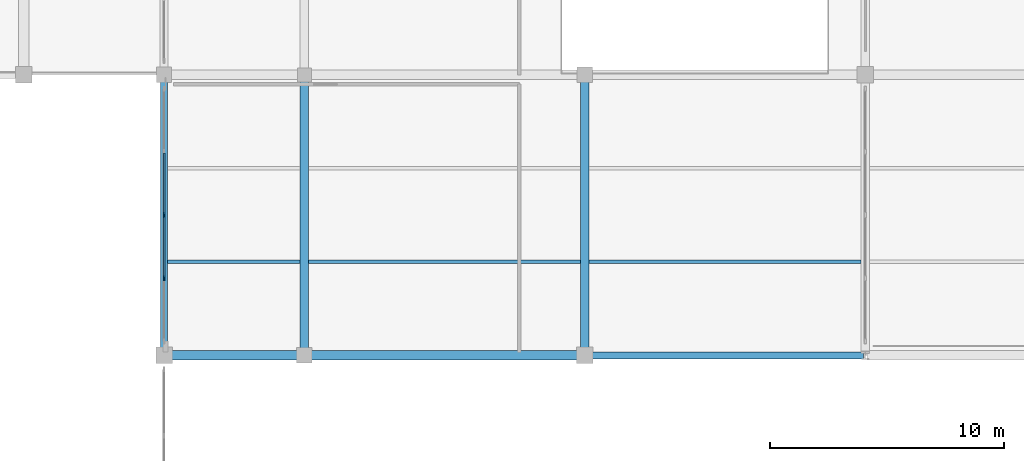
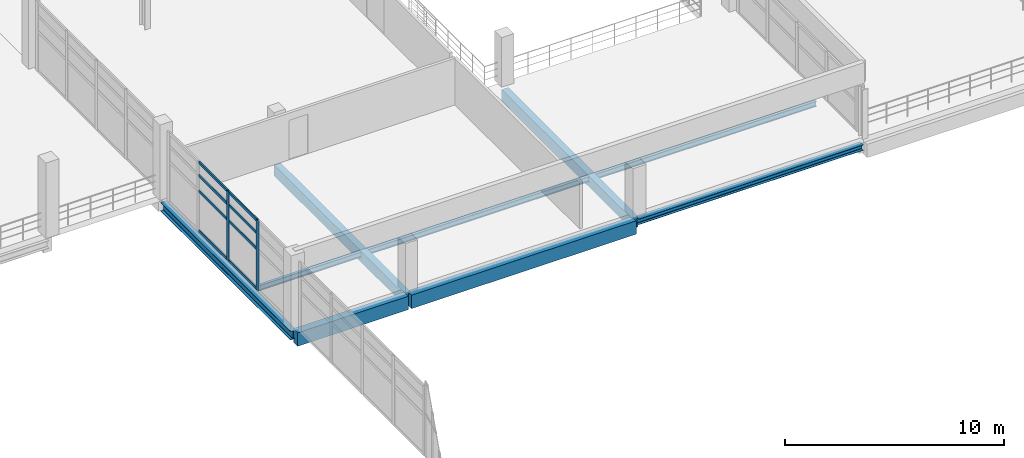
# One storey, part 45 of 89: 10 members, 9 beams, 1 element without a shape of its own.
"""IFC4 building model written with IfcOpenShell, lengths in metres."""

from ifc_helpers import new_model, si_unit, direction, frame, origin, origin_2d, place, context, subcontext, project, spatial, rectangle, i_section, extrude, material, material_profile, profile_set, type_object, element, aggregate, save


model = new_model("IFC4")

# Units and contexts
model_context = context("Model", 3, precision=1e-05, world=origin(), true_north=direction((0.0, 1.0)))
body_context = subcontext(model_context, "Body", "Model", "MODEL_VIEW")
ifc_project = project(units=[si_unit("LENGTHUNIT", "METRE"), si_unit("AREAUNIT", "SQUARE_METRE"), si_unit("VOLUMEUNIT", "CUBIC_METRE"), si_unit("PLANEANGLEUNIT", "RADIAN"), si_unit("MASSUNIT", "GRAM", prefix="KILO"), si_unit("THERMODYNAMICTEMPERATUREUNIT", "KELVIN"), si_unit("POWERUNIT", "WATT")], contexts=[model_context])

# Site, building, storey
site_placement = place(None, origin())
site = spatial("IfcSite", under=ifc_project, at=site_placement, CompositionType="ELEMENT")
building_placement = place(site_placement, origin())
building = spatial("IfcBuilding", under=site, at=building_placement, Name="Solmara Park Aquatics Centre", CompositionType="ELEMENT")
storey_placement = place(building_placement, frame((0.0, 0.0, 5.39990234375)))
storey = spatial("IfcBuildingStorey", under=building, at=storey_placement, Name="L01", CompositionType="ELEMENT", Elevation=5.39990234375)

# Curtain wall, members
ifc_material_1 = material(Name="Anodised Aluminium Curtain Wall Framing", Category="aluminium")
curtain_wall_type = type_object("IfcCurtainWallType", Name="ARC-CW-SYS03", PredefinedType="USERDEFINED", material=ifc_material_1)
curtain_wall_placement = place(storey_placement, origin())
curtain_wall = element("IfcCurtainWall", 1, at=curtain_wall_placement, inside=storey, type_object=curtain_wall_type, Name="Curtain Wall CW-078", ObjectType="CURTAIN WALL", PredefinedType="USERDEFINED")
ifc_material_2 = material(Name="Anodised Aluminium Alloy 6063-T6", Category="aluminium")
ifc_material_profile_1 = material_profile(ifc_material_2, rectangle(XDim=0.074951171875, YDim=0.219970703125, at=origin_2d()), Name="ALU MULLION 75x220")
ifc_profile_set_1 = profile_set([ifc_material_profile_1], Name="Anodised Aluminium Alloy 6063-T6")
member_type_1 = type_object("IfcMemberType", Name="ARC-CWM-75x220", PredefinedType="MULLION", material=ifc_profile_set_1)
member_1_placement = place(storey_placement, frame((162.0, 27.89990234375, 0.0), z_axis=(0.0, 0.0, 1.0), x_axis=(1.0, 0.0, 0.0)))
member_1 = element("IfcMember", 2, at=member_1_placement, type_object=member_type_1, Name="CW-078 mullion 2", PredefinedType="MULLION", context=body_context, shape_type="SweptSolid", body=[
    extrude(rectangle(XDim=0.074951171875, YDim=0.219970703125, at=origin_2d()), origin(), (0.0, 0.0, 1.0), 3.880126953125),
])
member_2_placement = place(storey_placement, frame((162.0, 30.60009765625, 0.0), z_axis=(0.0, 0.0, 1.0), x_axis=(1.0, 0.0, 0.0)))
member_2 = element("IfcMember", 3, at=member_2_placement, type_object=member_type_1, Name="CW-078 mullion 3", PredefinedType="MULLION", context=body_context, shape_type="SweptSolid", body=[
    extrude(rectangle(XDim=0.074951171875, YDim=0.219970703125, at=origin_2d()), origin(), (0.0, 0.0, 1.0), 3.880126953125),
])
ifc_material_profile_2 = material_profile(ifc_material_2, rectangle(XDim=0.074951171875, YDim=0.14990234375, at=origin_2d()), Name="ALU TRANSOM 75x150")
ifc_profile_set_2 = profile_set([ifc_material_profile_2], Name="Anodised Aluminium Alloy 6063-T6")
member_type_2 = type_object("IfcMemberType", Name="ARC-CWT-75x150", PredefinedType="USERDEFINED", material=ifc_profile_set_2)
member_3_placement = place(storey_placement, frame((162.0, 27.919921875, 0.0400390625), z_axis=(0.0, 1.0, 0.0), x_axis=(-1.0, 0.0, 0.0)))
member_3 = element("IfcMember", 4, at=member_3_placement, type_object=member_type_2, Name="CW-078 transom 5", ObjectType="TRANSOM", PredefinedType="USERDEFINED", context=body_context, shape_type="SweptSolid", body=[
    extrude(rectangle(XDim=0.074951171875, YDim=0.14990234375, at=origin_2d()), origin(), (0.0, 0.0, 1.0), 2.6201171875),
])
member_4_placement = place(storey_placement, frame((162.0, 27.919921875, 2.25048828125), z_axis=(0.0, 1.0, 0.0), x_axis=(-1.0, 0.0, 0.0)))
member_4 = element("IfcMember", 5, at=member_4_placement, type_object=member_type_2, Name="CW-078 transom 6", ObjectType="TRANSOM", PredefinedType="USERDEFINED", context=body_context, shape_type="SweptSolid", body=[
    extrude(rectangle(XDim=0.074951171875, YDim=0.14990234375, at=origin_2d()), origin(), (0.0, 0.0, 1.0), 2.6201171875),
])
member_5_placement = place(storey_placement, frame((162.0, 27.919921875, 3.130126953125), z_axis=(0.0, 1.0, 0.0), x_axis=(-1.0, 0.0, 0.0)))
member_5 = element("IfcMember", 6, at=member_5_placement, type_object=member_type_2, Name="CW-078 transom 7", ObjectType="TRANSOM", PredefinedType="USERDEFINED", context=body_context, shape_type="SweptSolid", body=[
    extrude(rectangle(XDim=0.074951171875, YDim=0.14990234375, at=origin_2d()), origin(), (0.0, 0.0, 1.0), 2.6201171875),
])
member_6_placement = place(storey_placement, frame((162.0, 27.919921875, 3.840087890625), z_axis=(0.0, 1.0, 0.0), x_axis=(-1.0, 0.0, 0.0)))
member_6 = element("IfcMember", 7, at=member_6_placement, type_object=member_type_2, Name="CW-078 transom 8", ObjectType="TRANSOM", PredefinedType="USERDEFINED", context=body_context, shape_type="SweptSolid", body=[
    extrude(rectangle(XDim=0.074951171875, YDim=0.14990234375, at=origin_2d()), origin(), (0.0, 0.0, 1.0), 2.6201171875),
])
member_7_placement = place(storey_placement, frame((162.0, 30.6201171875, 0.0400390625), z_axis=(0.0, 1.0, 0.0), x_axis=(-1.0, 0.0, 0.0)))
member_7 = element("IfcMember", 8, at=member_7_placement, type_object=member_type_2, Name="CW-078 transom 9", ObjectType="TRANSOM", PredefinedType="USERDEFINED", context=body_context, shape_type="SweptSolid", body=[
    extrude(rectangle(XDim=0.074951171875, YDim=0.14990234375, at=origin_2d()), origin(), (0.0, 0.0, 1.0), 2.619873046875),
])
member_8_placement = place(storey_placement, frame((162.0, 30.6201171875, 2.25048828125), z_axis=(0.0, 1.0, 0.0), x_axis=(-1.0, 0.0, 0.0)))
member_8 = element("IfcMember", 9, at=member_8_placement, type_object=member_type_2, Name="CW-078 transom 10", ObjectType="TRANSOM", PredefinedType="USERDEFINED", context=body_context, shape_type="SweptSolid", body=[
    extrude(rectangle(XDim=0.074951171875, YDim=0.14990234375, at=origin_2d()), origin(), (0.0, 0.0, 1.0), 2.619873046875),
])
member_9_placement = place(storey_placement, frame((162.0, 30.6201171875, 3.130126953125), z_axis=(0.0, 1.0, 0.0), x_axis=(-1.0, 0.0, 0.0)))
member_9 = element("IfcMember", 10, at=member_9_placement, type_object=member_type_2, Name="CW-078 transom 11", ObjectType="TRANSOM", PredefinedType="USERDEFINED", context=body_context, shape_type="SweptSolid", body=[
    extrude(rectangle(XDim=0.074951171875, YDim=0.14990234375, at=origin_2d()), origin(), (0.0, 0.0, 1.0), 2.619873046875),
])
member_10_placement = place(storey_placement, frame((162.0, 30.6201171875, 3.840087890625), z_axis=(0.0, 1.0, 0.0), x_axis=(-1.0, 0.0, 0.0)))
member_10 = element("IfcMember", 11, at=member_10_placement, type_object=member_type_2, Name="CW-078 transom 12", ObjectType="TRANSOM", PredefinedType="USERDEFINED", context=body_context, shape_type="SweptSolid", body=[
    extrude(rectangle(XDim=0.074951171875, YDim=0.14990234375, at=origin_2d()), origin(), (0.0, 0.0, 1.0), 2.619873046875),
])
aggregate(curtain_wall, [member_1, member_2, member_3, member_4, member_5, member_6, member_7, member_8, member_9, member_10])

# Beams
ifc_material_3 = material(Name="Structural Steel S355", Category="steel")
ifc_material_profile_3 = material_profile(ifc_material_3, i_section(OverallWidth=0.300048828125, OverallDepth=0.31005859375, WebThickness=0.009033203125, FlangeThickness=0.015380859375, FilletRadius=0.027099609375, at=origin_2d()), Name="HEA 320")
ifc_profile_set_3 = profile_set([ifc_material_profile_3], Name="Structural Steel S355")
beam_type_1 = type_object("IfcBeamType", Name="STR-BM-HEA320", PredefinedType="BEAM", material=ifc_profile_set_3)
beam_1_placement = place(storey_placement, frame((180.080078125, 24.60009765625, -0.474853515625), z_axis=(1.0, 0.0, 0.0), x_axis=(0.0, 1.0, 0.0)))
element("IfcBeam", 12, at=beam_1_placement, inside=storey, type_object=beam_type_1, Name="Girder BM-L01-0228", PredefinedType="BEAM", context=body_context, shape_type="SweptSolid", body=[
    extrude(i_section(OverallWidth=0.300048828125, OverallDepth=0.31005859375, WebThickness=0.009033203125, FlangeThickness=0.015380859375, FilletRadius=0.027099609375, at=origin_2d()), origin(), (0.0, 0.0, 1.0), 11.83984375),
])
ifc_material_profile_4 = material_profile(ifc_material_3, i_section(OverallWidth=0.300048828125, OverallDepth=0.489990234375, WebThickness=0.011962890625, FlangeThickness=0.02294921875, FilletRadius=0.027099609375, at=origin_2d()), Name="HEA 500")
ifc_profile_set_4 = profile_set([ifc_material_profile_4], Name="Structural Steel S355")
beam_type_2 = type_object("IfcBeamType", Name="STR-BM-HEA500", PredefinedType="BEAM", material=ifc_profile_set_4)
beam_2_placement = place(storey_placement, frame((162.0, 24.679931640625, -0.56494140625), z_axis=(0.0, 1.0, 0.0), x_axis=(-1.0, 0.0, 0.0)))
element("IfcBeam", 13, at=beam_2_placement, inside=storey, type_object=beam_type_2, Name="Girder BM-L01-0245", PredefinedType="BEAM", context=body_context, shape_type="SweptSolid", body=[
    extrude(i_section(OverallWidth=0.300048828125, OverallDepth=0.489990234375, WebThickness=0.011962890625, FlangeThickness=0.02294921875, FilletRadius=0.027099609375, at=origin_2d()), origin(), (0.0, 0.0, 1.0), 11.840087890625),
])
ifc_material_4 = material(Name="Concrete C40/50", Category="concrete")
ifc_material_profile_5 = material_profile(ifc_material_4, rectangle(XDim=0.35009765625, YDim=0.60009765625, at=origin_2d()), Name="RC 350x600")
ifc_profile_set_5 = profile_set([ifc_material_profile_5], Name="Concrete C40/50")
beam_type_3 = type_object("IfcBeamType", Name="STR-BM-RC350x600", PredefinedType="BEAM", material=ifc_profile_set_5)
for number, where, z_axis, x_axis, name in (
    (14, (168.0, 24.679931640625, -0.619873046875), (0.0, 1.0, 0.0), (-1.0, 0.0, 0.0), "Girder BM-L01-0249"),
    (15, (180.0, 24.679931640625, -0.619873046875), (0.0, 1.0, 0.0), (-1.0, 0.0, 0.0), "Girder BM-L01-0253"),
):
    element("IfcBeam", number, at=place(storey_placement, frame(where, z_axis=z_axis, x_axis=x_axis)), inside=storey, type_object=beam_type_3, Name=name, PredefinedType="BEAM", context=body_context, shape_type="SweptSolid", body=[
        extrude(rectangle(XDim=0.35009765625, YDim=0.60009765625, at=origin_2d()), origin(), (0.0, 0.0, 1.0), 11.840087890625),
    ])
ifc_material_profile_6 = material_profile(ifc_material_4, rectangle(XDim=0.39990234375, YDim=0.75, at=origin_2d()), Name="RC 400x750")
ifc_profile_set_6 = profile_set([ifc_material_profile_6], Name="Concrete C40/50")
beam_type_4 = type_object("IfcBeamType", Name="STR-BM-RC400x750", PredefinedType="BEAM", material=ifc_profile_set_6)
beam_3_placement = place(storey_placement, frame((162.080078125, 24.60009765625, -0.69482421875), z_axis=(1.0, 0.0, 0.0), x_axis=(0.0, 1.0, 0.0)))
element("IfcBeam", 16, at=beam_3_placement, inside=storey, type_object=beam_type_4, Name="Girder BM-L01-0226", PredefinedType="BEAM", context=body_context, shape_type="SweptSolid", body=[
    extrude(rectangle(XDim=0.39990234375, YDim=0.75, at=origin_2d()), origin(), (0.0, 0.0, 1.0), 5.83984375),
])
beam_4_placement = place(storey_placement, frame((168.080078125, 24.60009765625, -0.69482421875), z_axis=(1.0, 0.0, 0.0), x_axis=(0.0, 1.0, 0.0)))
element("IfcBeam", 17, at=beam_4_placement, inside=storey, type_object=beam_type_4, Name="Girder BM-L01-0227", PredefinedType="BEAM", context=body_context, shape_type="SweptSolid", body=[
    extrude(rectangle(XDim=0.39990234375, YDim=0.75, at=origin_2d()), origin(), (0.0, 0.0, 1.0), 11.83984375),
])
ifc_material_profile_7 = material_profile(ifc_material_3, i_section(OverallWidth=0.14990234375, OverallDepth=0.300048828125, WebThickness=0.007080078125, FlangeThickness=0.0107421875, FilletRadius=0.014892578125, at=origin_2d()), Name="IPE 300")
ifc_profile_set_7 = profile_set([ifc_material_profile_7], Name="Structural Steel S355")
beam_type_5 = type_object("IfcBeamType", Name="STR-JST-IPE300", PredefinedType="JOIST", material=ifc_profile_set_7)
beam_5_placement = place(storey_placement, frame((162.14990234375, 28.60009765625, -0.469970703125), z_axis=(1.0, 0.0, 0.0), x_axis=(0.0, 1.0, 0.0)))
element("IfcBeam", 18, at=beam_5_placement, inside=storey, type_object=beam_type_5, Name="Floor Joist JST-L01-0132", PredefinedType="JOIST", context=body_context, shape_type="SweptSolid", body=[
    extrude(i_section(OverallWidth=0.14990234375, OverallDepth=0.300048828125, WebThickness=0.007080078125, FlangeThickness=0.0107421875, FilletRadius=0.014892578125, at=origin_2d()), origin(), (0.0, 0.0, 1.0), 5.675048828125),
])
for number, where, z_axis, x_axis, name in (
    (19, (168.175048828125, 28.60009765625, -0.469970703125), (1.0, 0.0, 0.0), (0.0, 1.0, 0.0), "Floor Joist JST-L01-0140"),
    (20, (180.175048828125, 28.60009765625, -0.469970703125), (1.0, 0.0, 0.0), (0.0, 1.0, 0.0), "Floor Joist JST-L01-0146"),
):
    element("IfcBeam", number, at=place(storey_placement, frame(where, z_axis=z_axis, x_axis=x_axis)), inside=storey, type_object=beam_type_5, Name=name, PredefinedType="JOIST", context=body_context, shape_type="SweptSolid", body=[
        extrude(i_section(OverallWidth=0.14990234375, OverallDepth=0.300048828125, WebThickness=0.007080078125, FlangeThickness=0.0107421875, FilletRadius=0.014892578125, at=origin_2d()), origin(), (0.0, 0.0, 1.0), 11.64990234375),
    ])

save(model, "model.ifc")
